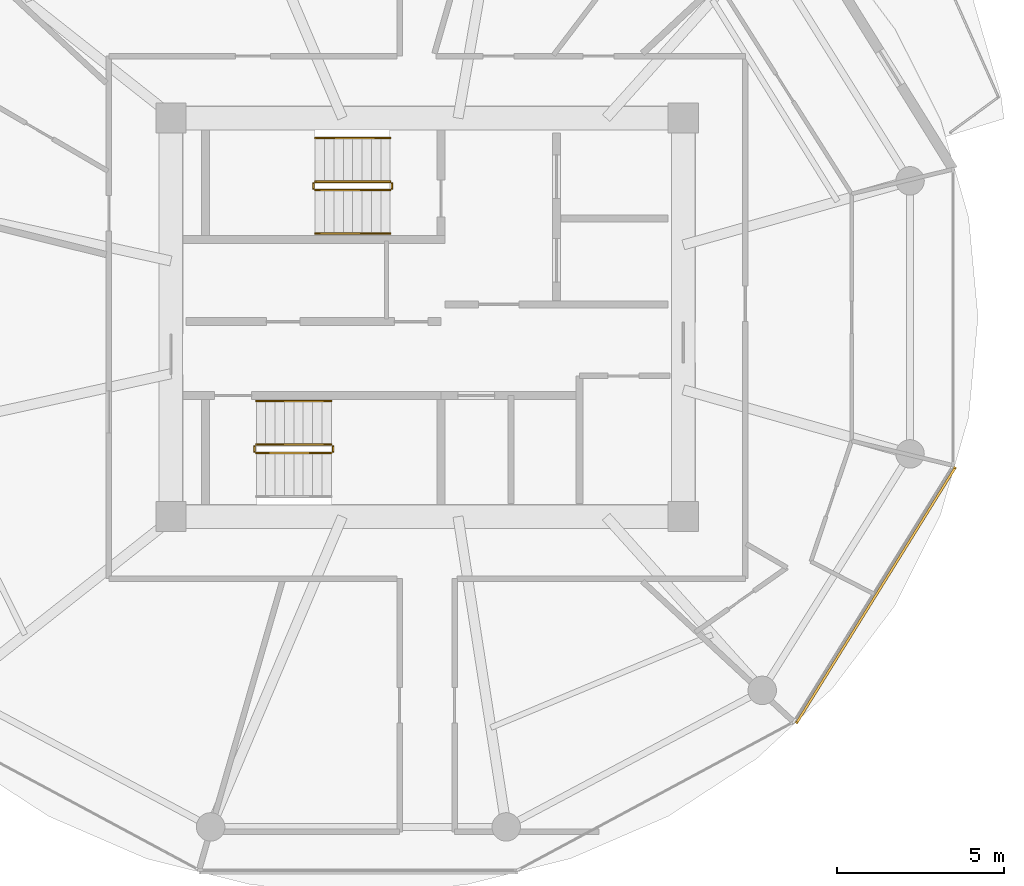
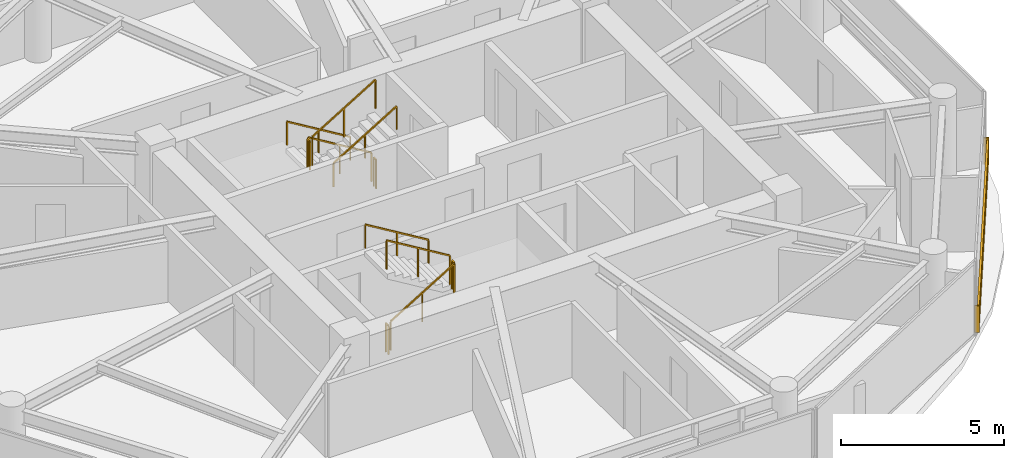
# One storey, part 23 of 24: 11 railings, 1 shading device.
"""IFC4 building model written with IfcOpenShell, lengths in metres."""

from ifc_helpers import new_model, si_unit, direction, frame, origin, origin_2d, place, context, subcontext, project, spatial, rectangle, extrude, source, transform, mapped, material, type_object, type_shapes, element, save


model = new_model("IFC4")

# Units and contexts
model_context = context("Model", 3, precision=1e-05, world=origin(), true_north=direction((0.0, 1.0)))
body_context = subcontext(model_context, "Body", "Model", "MODEL_VIEW")
ifc_project = project(units=[si_unit("LENGTHUNIT", "METRE"), si_unit("AREAUNIT", "SQUARE_METRE"), si_unit("VOLUMEUNIT", "CUBIC_METRE"), si_unit("PLANEANGLEUNIT", "RADIAN"), si_unit("MASSUNIT", "GRAM", prefix="KILO")], contexts=[model_context])

# Site, building, storey
site_placement = place(None, origin())
site = spatial("IfcSite", under=ifc_project, at=site_placement, CompositionType="ELEMENT")
building_placement = place(site_placement, origin())
building = spatial("IfcBuilding", under=site, at=building_placement, Name="Norrkilde Senior Care Towers", CompositionType="ELEMENT")
storey_placement = place(building_placement, frame((0.0, 0.0, 117.60009765625)))
storey = spatial("IfcBuildingStorey", under=building, at=storey_placement, Name="L36", CompositionType="ELEMENT", Elevation=117.60009765625)

# Railings
ifc_material_1 = material(Name="Stainless Steel", Category="steel")
railing_type_1 = type_object("IfcRailingType", Name="Stair and Terrace Guardrail 1100", PredefinedType="GUARDRAIL", material=ifc_material_1)
railing_1_placement = place(storey_placement, frame((26.89990234375, 4.050048828125, 0.16943359375)))
element("IfcRailing", 1, at=railing_1_placement, inside=storey, type_object=railing_type_1, Name="L36 ST-E1 stair guard 1", PredefinedType="GUARDRAIL", context=body_context, shape_type="SweptSolid", body=[
    extrude(rectangle(XDim=0.048095703125, YDim=0.048095703125, at=origin_2d()), frame((0.0, 0.0, 1.076171875), z_axis=(-0.855553338991, 0.0, 0.51771467445), x_axis=(0.0, -1.0, 0.0)), (0.0, 0.0, 1.0), 2.6181640625),
    extrude(rectangle(XDim=0.0419921875, YDim=0.0419921875, at=origin_2d()), origin(), (0.0, 0.0, 1.0), 1.050048828125),
    extrude(rectangle(XDim=0.0419921875, YDim=0.0419921875, at=origin_2d()), frame((-1.1201171875, 0.0, 0.677734375)), (0.0, 0.0, 1.0), 1.050048828125),
    extrude(rectangle(XDim=0.0419921875, YDim=0.0419921875, at=origin_2d()), frame((-2.239990234375, 0.0, 1.35546875)), (0.0, 0.0, 1.0), 1.050048828125),
])
railing_2_placement = place(storey_placement, frame((24.610107421875, 4.0, 1.52490234375)))
element("IfcRailing", 2, at=railing_2_placement, inside=storey, type_object=railing_type_1, Name="L36 ST-E1 stair guard 2", PredefinedType="GUARDRAIL", context=body_context, shape_type="SweptSolid", body=[
    extrude(rectangle(XDim=0.048095703125, YDim=0.048095703125, at=origin_2d()), frame((0.0, 0.0, 1.076171875), z_axis=(0.0, -1.0, 0.0), x_axis=(1.0, 0.0, 0.0)), (0.0, 0.0, 1.0), 0.14990234375),
    extrude(rectangle(XDim=0.0419921875, YDim=0.0419921875, at=origin_2d()), origin(), (0.0, 0.0, 1.0), 1.050048828125),
    extrude(rectangle(XDim=0.0419921875, YDim=0.0419921875, at=origin_2d()), frame((0.0, -0.14990234375, 0.0)), (0.0, 0.0, 1.0), 1.050048828125),
])
railing_3_placement = place(storey_placement, frame((24.659912109375, 3.800048828125, 1.6943359375)))
element("IfcRailing", 3, at=railing_3_placement, inside=storey, type_object=railing_type_1, Name="L36 ST-E1 stair guard 3", PredefinedType="GUARDRAIL", context=body_context, shape_type="SweptSolid", body=[
    extrude(rectangle(XDim=0.048095703125, YDim=0.048095703125, at=origin_2d()), frame((0.0, 0.0, 1.076171875), z_axis=(0.855553338991, 0.0, 0.51771467445), x_axis=(0.0, 1.0, 0.0)), (0.0, 0.0, 1.0), 2.6181640625),
    extrude(rectangle(XDim=0.0419921875, YDim=0.0419921875, at=origin_2d()), origin(), (0.0, 0.0, 1.0), 1.050048828125),
    extrude(rectangle(XDim=0.0419921875, YDim=0.0419921875, at=origin_2d()), frame((1.1201171875, 0.0, 0.677734375)), (0.0, 0.0, 1.0), 1.050048828125),
    extrude(rectangle(XDim=0.0419921875, YDim=0.0419921875, at=origin_2d()), frame((2.239990234375, 0.0, 1.35546875)), (0.0, 0.0, 1.0), 1.050048828125),
])
railing_4_placement = place(storey_placement, frame((26.949951171875, 4.0, 0.0)))
element("IfcRailing", 4, at=railing_4_placement, inside=storey, type_object=railing_type_1, Name="L36 ST-E1 stair guard 4", PredefinedType="GUARDRAIL", context=body_context, shape_type="SweptSolid", body=[
    extrude(rectangle(XDim=0.048095703125, YDim=0.048095703125, at=origin_2d()), frame((0.0, 0.0, 1.076171875), z_axis=(0.0, -1.0, 0.0), x_axis=(1.0, 0.0, 0.0)), (0.0, 0.0, 1.0), 0.14990234375),
    extrude(rectangle(XDim=0.0419921875, YDim=0.0419921875, at=origin_2d()), origin(), (0.0, 0.0, 1.0), 1.050048828125),
    extrude(rectangle(XDim=0.0419921875, YDim=0.0419921875, at=origin_2d()), frame((0.0, -0.14990234375, 0.0)), (0.0, 0.0, 1.0), 1.050048828125),
])
railing_5_placement = place(storey_placement, frame((22.89990234375, -4.050048828125, 0.16943359375)))
element("IfcRailing", 5, at=railing_5_placement, inside=storey, type_object=railing_type_1, Name="L36 ST-E2 stair guard 1", PredefinedType="GUARDRAIL", context=body_context, shape_type="SweptSolid", body=[
    extrude(rectangle(XDim=0.048095703125, YDim=0.048095703125, at=origin_2d()), frame((0.0, 0.0, 1.076171875), z_axis=(0.855553338991, 0.0, 0.51771467445), x_axis=(0.0, 1.0, 0.0)), (0.0, 0.0, 1.0), 2.6181640625),
    extrude(rectangle(XDim=0.0419921875, YDim=0.0419921875, at=origin_2d()), origin(), (0.0, 0.0, 1.0), 1.050048828125),
    extrude(rectangle(XDim=0.0419921875, YDim=0.0419921875, at=origin_2d()), frame((1.1201171875, 0.0, 0.677734375)), (0.0, 0.0, 1.0), 1.050048828125),
    extrude(rectangle(XDim=0.0419921875, YDim=0.0419921875, at=origin_2d()), frame((2.239990234375, 0.0, 1.35546875)), (0.0, 0.0, 1.0), 1.050048828125),
])
railing_6_placement = place(storey_placement, frame((25.18994140625, -4.0, 1.52490234375)))
element("IfcRailing", 6, at=railing_6_placement, inside=storey, type_object=railing_type_1, Name="L36 ST-E2 stair guard 2", PredefinedType="GUARDRAIL", context=body_context, shape_type="SweptSolid", body=[
    extrude(rectangle(XDim=0.048095703125, YDim=0.048095703125, at=origin_2d()), frame((0.0, 0.0, 1.076171875), z_axis=(0.0, 1.0, 0.0), x_axis=(-1.0, 0.0, 0.0)), (0.0, 0.0, 1.0), 0.14990234375),
    extrude(rectangle(XDim=0.0419921875, YDim=0.0419921875, at=origin_2d()), origin(), (0.0, 0.0, 1.0), 1.050048828125),
    extrude(rectangle(XDim=0.0419921875, YDim=0.0419921875, at=origin_2d()), frame((0.0, 0.14990234375, 0.0)), (0.0, 0.0, 1.0), 1.050048828125),
])
railing_7_placement = place(storey_placement, frame((25.139892578125, -3.800048828125, 1.6943359375)))
element("IfcRailing", 7, at=railing_7_placement, inside=storey, type_object=railing_type_1, Name="L36 ST-E2 stair guard 3", PredefinedType="GUARDRAIL", context=body_context, shape_type="SweptSolid", body=[
    extrude(rectangle(XDim=0.048095703125, YDim=0.048095703125, at=origin_2d()), frame((0.0, 0.0, 1.076171875), z_axis=(-0.855553338991, 0.0, 0.51771467445), x_axis=(0.0, -1.0, 0.0)), (0.0, 0.0, 1.0), 2.6181640625),
    extrude(rectangle(XDim=0.0419921875, YDim=0.0419921875, at=origin_2d()), origin(), (0.0, 0.0, 1.0), 1.050048828125),
    extrude(rectangle(XDim=0.0419921875, YDim=0.0419921875, at=origin_2d()), frame((-1.1201171875, 0.0, 0.677734375)), (0.0, 0.0, 1.0), 1.050048828125),
    extrude(rectangle(XDim=0.0419921875, YDim=0.0419921875, at=origin_2d()), frame((-2.239990234375, 0.0, 1.35546875)), (0.0, 0.0, 1.0), 1.050048828125),
])
railing_8_placement = place(storey_placement, frame((22.85009765625, -4.0, 0.0)))
element("IfcRailing", 8, at=railing_8_placement, inside=storey, type_object=railing_type_1, Name="L36 ST-E2 stair guard 4", PredefinedType="GUARDRAIL", context=body_context, shape_type="SweptSolid", body=[
    extrude(rectangle(XDim=0.048095703125, YDim=0.048095703125, at=origin_2d()), frame((0.0, 0.0, 1.076171875), z_axis=(0.0, 1.0, 0.0), x_axis=(-1.0, 0.0, 0.0)), (0.0, 0.0, 1.0), 0.14990234375),
    extrude(rectangle(XDim=0.0419921875, YDim=0.0419921875, at=origin_2d()), origin(), (0.0, 0.0, 1.0), 1.050048828125),
    extrude(rectangle(XDim=0.0419921875, YDim=0.0419921875, at=origin_2d()), frame((0.0, 0.14990234375, 0.0)), (0.0, 0.0, 1.0), 1.050048828125),
])
ifc_material_2 = material(Name="Nordic Ash Timber", Category="wood")
railing_type_2 = type_object("IfcRailingType", Name="Wall and Stair Handrail 900", PredefinedType="HANDRAIL", material=ifc_material_2)
railing_9_placement = place(storey_placement, frame((26.89990234375, 5.35009765625, 0.16943359375)))
element("IfcRailing", 9, at=railing_9_placement, inside=storey, type_object=railing_type_2, Name="L36 ST-E1 stair handrail 1", PredefinedType="HANDRAIL", context=body_context, shape_type="SweptSolid", body=[
    extrude(rectangle(XDim=0.048095703125, YDim=0.048095703125, at=origin_2d()), frame((0.0, 0.0, 0.8759765625), z_axis=(-0.855553338991, 0.0, 0.51771467445), x_axis=(0.0, -1.0, 0.0)), (0.0, 0.0, 1.0), 2.6181640625),
    extrude(rectangle(XDim=0.0419921875, YDim=0.0419921875, at=origin_2d()), origin(), (0.0, 0.0, 1.0), 0.849853515625),
    extrude(rectangle(XDim=0.0419921875, YDim=0.0419921875, at=origin_2d()), frame((-1.1201171875, 0.0, 0.677734375)), (0.0, 0.0, 1.0), 0.849853515625),
    extrude(rectangle(XDim=0.0419921875, YDim=0.0419921875, at=origin_2d()), frame((-2.239990234375, 0.0, 1.35546875)), (0.0, 0.0, 1.0), 0.849853515625),
])
railing_10_placement = place(storey_placement, frame((24.659912109375, 2.5, 1.6943359375)))
element("IfcRailing", 10, at=railing_10_placement, inside=storey, type_object=railing_type_2, Name="L36 ST-E1 stair handrail 2", PredefinedType="HANDRAIL", context=body_context, shape_type="SweptSolid", body=[
    extrude(rectangle(XDim=0.048095703125, YDim=0.048095703125, at=origin_2d()), frame((0.0, 0.0, 0.8759765625), z_axis=(0.855553338991, 0.0, 0.51771467445), x_axis=(0.0, 1.0, 0.0)), (0.0, 0.0, 1.0), 2.6181640625),
    extrude(rectangle(XDim=0.0419921875, YDim=0.0419921875, at=origin_2d()), origin(), (0.0, 0.0, 1.0), 0.849853515625),
    extrude(rectangle(XDim=0.0419921875, YDim=0.0419921875, at=origin_2d()), frame((1.1201171875, 0.0, 0.677734375)), (0.0, 0.0, 1.0), 0.849853515625),
    extrude(rectangle(XDim=0.0419921875, YDim=0.0419921875, at=origin_2d()), frame((2.239990234375, 0.0, 1.35546875)), (0.0, 0.0, 1.0), 0.849853515625),
])
railing_11_placement = place(storey_placement, frame((25.139892578125, -2.5, 1.6943359375)))
element("IfcRailing", 11, at=railing_11_placement, inside=storey, type_object=railing_type_2, Name="L36 ST-E2 stair handrail 2", PredefinedType="HANDRAIL", context=body_context, shape_type="SweptSolid", body=[
    extrude(rectangle(XDim=0.048095703125, YDim=0.048095703125, at=origin_2d()), frame((0.0, 0.0, 0.8759765625), z_axis=(-0.855553338991, 0.0, 0.51771467445), x_axis=(0.0, -1.0, 0.0)), (0.0, 0.0, 1.0), 2.6181640625),
    extrude(rectangle(XDim=0.0419921875, YDim=0.0419921875, at=origin_2d()), origin(), (0.0, 0.0, 1.0), 0.849853515625),
    extrude(rectangle(XDim=0.0419921875, YDim=0.0419921875, at=origin_2d()), frame((-1.1201171875, 0.0, 0.677734375)), (0.0, 0.0, 1.0), 0.849853515625),
    extrude(rectangle(XDim=0.0419921875, YDim=0.0419921875, at=origin_2d()), frame((-2.239990234375, 0.0, 1.35546875)), (0.0, 0.0, 1.0), 0.849853515625),
])

# Shading device
ifc_material_3 = material(Name="Architectural Terracotta", Category="masonry")
shading_device_type = type_object("IfcShadingDeviceType", Name="Horizontal Terracotta Baguette Rack", PredefinedType="USERDEFINED", material=ifc_material_3)
shared_shape = source(origin(), body_context, "Body", "SweptSolid", [
    extrude(rectangle(XDim=0.070068359375, YDim=0.110107421875, at=origin_2d()), frame((0.0, 0.090087890625, 0.125), z_axis=(1.0, 0.0, 0.0), x_axis=(0.0, 1.0, 0.0)), (0.0, 0.0, 1.0), 9.01416015625),
    extrude(rectangle(XDim=0.070068359375, YDim=0.110107421875, at=origin_2d()), frame((0.0, 0.090087890625, 0.375), z_axis=(1.0, 0.0, 0.0), x_axis=(0.0, 1.0, 0.0)), (0.0, 0.0, 1.0), 9.01416015625),
    extrude(rectangle(XDim=0.070068359375, YDim=0.110107421875, at=origin_2d()), frame((0.0, 0.090087890625, 0.625), z_axis=(1.0, 0.0, 0.0), x_axis=(0.0, 1.0, 0.0)), (0.0, 0.0, 1.0), 9.01416015625),
    extrude(rectangle(XDim=0.070068359375, YDim=0.110107421875, at=origin_2d()), frame((0.0, 0.090087890625, 0.875), z_axis=(1.0, 0.0, 0.0), x_axis=(0.0, 1.0, 0.0)), (0.0, 0.0, 1.0), 9.01416015625),
    extrude(rectangle(XDim=0.050048828125, YDim=0.1552734375, at=origin_2d()), frame((0.02490234375, 0.047607421875, 0.0)), (0.0, 0.0, 1.0), 1.0),
    extrude(rectangle(XDim=0.050048828125, YDim=0.1552734375, at=origin_2d()), frame((8.9892578125, 0.047607421875, 0.0)), (0.0, 0.0, 1.0), 1.0),
])
type_shapes(shading_device_type, [shared_shape])
shading_device_placement = place(storey_placement, frame((43.70361328125, -4.420654296875, 0.079833984375), z_axis=(0.0, 0.0, 1.0), x_axis=(-0.527734142246, -0.849412274525, 0.0)))
element("IfcShadingDevice", 12, at=shading_device_placement, inside=storey, type_object=shading_device_type, Name="L36 Drum E Terracotta Baguette Screen 10", ObjectType="BAGUETTE", PredefinedType="USERDEFINED", context=body_context, shape_type="MappedRepresentation", body=[
    mapped(shared_shape, transform((0.0, 0.0, 0.0), x_axis=(1.0, 0.0, 0.0), y_axis=(0.0, 1.0, 0.0), z_axis=(0.0, 0.0, 1.0), scale=1.0)),
])

save(model, "model.ifc")
